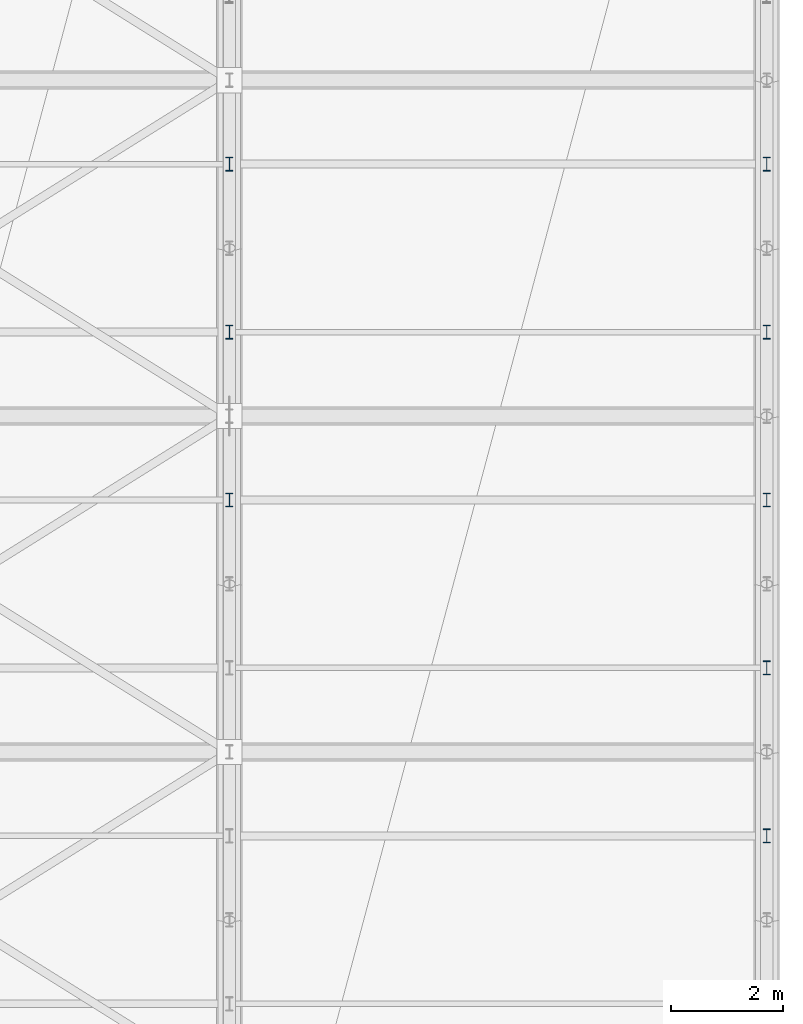
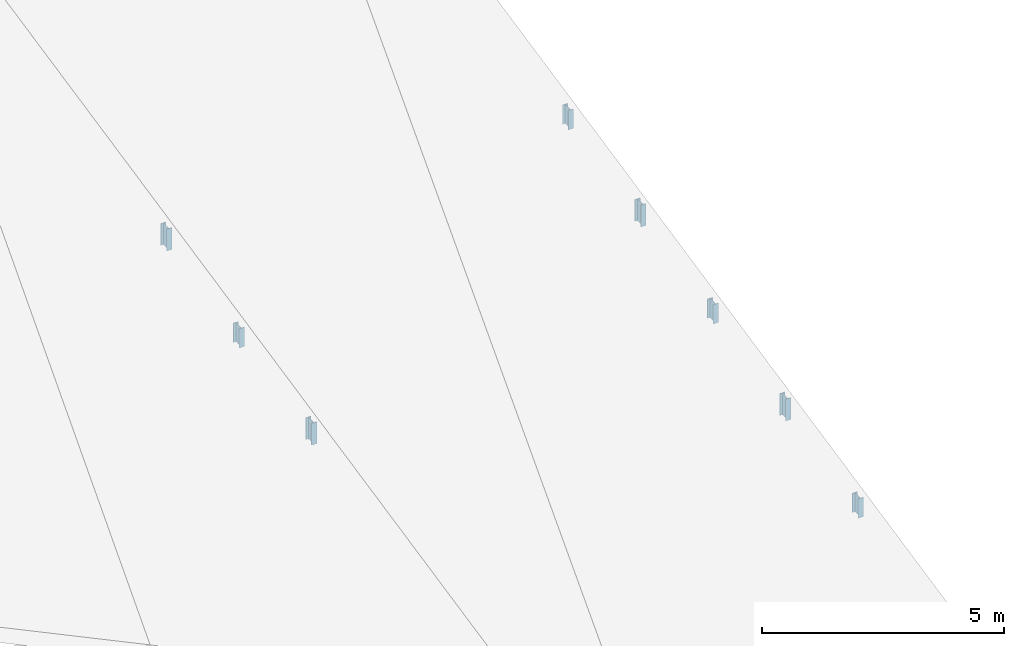
# One storey, part 84 of 109: 8 members.
"""IFC4 building model written with IfcOpenShell, lengths in metres."""

from ifc_helpers import new_model, si_unit, direction, frame, origin, origin_2d, place, context, subcontext, project, spatial, i_section, extrude, material, material_profile, profile_set, type_object, element, save


model = new_model("IFC4")

# Units and contexts
model_context = context("Model", 3, precision=1e-05, world=origin(), true_north=direction((0.0, 1.0)))
body_context = subcontext(model_context, "Body", "Model", "MODEL_VIEW")
ifc_project = project(units=[si_unit("LENGTHUNIT", "METRE"), si_unit("AREAUNIT", "SQUARE_METRE"), si_unit("VOLUMEUNIT", "CUBIC_METRE"), si_unit("PLANEANGLEUNIT", "RADIAN"), si_unit("MASSUNIT", "GRAM", prefix="KILO")], contexts=[model_context])

# Site, building, storey
site_placement = place(None, origin())
site = spatial("IfcSite", under=ifc_project, at=site_placement, CompositionType="ELEMENT")
building_placement = place(site_placement, origin())
building = spatial("IfcBuilding", under=site, at=building_placement, Name="Suirenkawa Promenade Aquatics Centre", CompositionType="ELEMENT")
storey_placement = place(building_placement, frame((0.0, 0.0, 22.800048828125)))
storey = spatial("IfcBuildingStorey", under=building, at=storey_placement, Name="ROOF", CompositionType="ELEMENT", Elevation=22.800048828125)

# Members
ifc_material = material(Name="Steel IS 2062 E350 (Grade 350)", Category="steel")
ifc_material_profile = material_profile(ifc_material, i_section(OverallWidth=0.125, OverallDepth=0.25, WebThickness=0.007080078125, FlangeThickness=0.012939453125, at=origin_2d()), Name="ISMB 250", Category="steel")
ifc_profile_set = profile_set([ifc_material_profile], Name="Steel IS 2062 E350 (Grade 350)")
member_type = type_object("IfcMemberType", Name="MT-WEB-CHS168", PredefinedType="BRACE", material=ifc_profile_set)
member_1_placement = place(storey_placement, frame((184.800048828125, 66.89990234375, -5.51708984375), z_axis=(0.0, 0.0, 1.0), x_axis=(1.0, 0.0, 0.0)))
element("IfcMember", 1, at=member_1_placement, inside=storey, type_object=member_type, Name="ROOF TRUSS Purlin cleat post TD-03 MB-2530", PredefinedType="BRACE", context=body_context, shape_type="SweptSolid", body=[
    extrude(i_section(OverallWidth=0.125, OverallDepth=0.25, WebThickness=0.007080078125, FlangeThickness=0.012939453125, at=origin_2d()), origin(), (0.0, 0.0, 1.0), 0.551025390625),
])
member_2_placement = place(storey_placement, frame((184.800048828125, 69.89990234375, -4.883056640625), z_axis=(0.0, 0.0, 1.0), x_axis=(1.0, 0.0, 0.0)))
element("IfcMember", 2, at=member_2_placement, inside=storey, type_object=member_type, Name="ROOF TRUSS Purlin cleat post TD-03 MB-2532", PredefinedType="BRACE", context=body_context, shape_type="SweptSolid", body=[
    extrude(i_section(OverallWidth=0.125, OverallDepth=0.25, WebThickness=0.007080078125, FlangeThickness=0.012939453125, at=origin_2d()), origin(), (0.0, 0.0, 1.0), 0.486083984375),
])
member_3_placement = place(storey_placement, frame((184.800048828125, 72.89990234375, -4.25), z_axis=(0.0, 0.0, 1.0), x_axis=(1.0, 0.0, 0.0)))
element("IfcMember", 3, at=member_3_placement, inside=storey, type_object=member_type, Name="ROOF TRUSS Purlin cleat post TD-03 MB-2534", PredefinedType="BRACE", context=body_context, shape_type="SweptSolid", body=[
    extrude(i_section(OverallWidth=0.125, OverallDepth=0.25, WebThickness=0.007080078125, FlangeThickness=0.012939453125, at=origin_2d()), origin(), (0.0, 0.0, 1.0), 0.551025390625),
])
member_4_placement = place(storey_placement, frame((194.39990234375, 60.89990234375, -7.0830078125), z_axis=(0.0, 0.0, 1.0), x_axis=(1.0, 0.0, 0.0)))
element("IfcMember", 4, at=member_4_placement, inside=storey, type_object=member_type, Name="ROOF TRUSS Purlin cleat post TD-03 MB-2570", PredefinedType="BRACE", context=body_context, shape_type="SweptSolid", body=[
    extrude(i_section(OverallWidth=0.125, OverallDepth=0.25, WebThickness=0.007080078125, FlangeThickness=0.012939453125, at=origin_2d()), origin(), (0.0, 0.0, 1.0), 0.48583984375),
])
member_5_placement = place(storey_placement, frame((194.39990234375, 63.89990234375, -6.449951171875), z_axis=(0.0, 0.0, 1.0), x_axis=(1.0, 0.0, 0.0)))
element("IfcMember", 5, at=member_5_placement, inside=storey, type_object=member_type, Name="ROOF TRUSS Purlin cleat post TD-03 MB-2572", PredefinedType="BRACE", context=body_context, shape_type="SweptSolid", body=[
    extrude(i_section(OverallWidth=0.125, OverallDepth=0.25, WebThickness=0.007080078125, FlangeThickness=0.012939453125, at=origin_2d()), origin(), (0.0, 0.0, 1.0), 0.55078125),
])
member_6_placement = place(storey_placement, frame((194.39990234375, 66.89990234375, -5.817138671875), z_axis=(0.0, 0.0, 1.0), x_axis=(1.0, 0.0, 0.0)))
element("IfcMember", 6, at=member_6_placement, inside=storey, type_object=member_type, Name="ROOF TRUSS Purlin cleat post TD-03 MB-2574", PredefinedType="BRACE", context=body_context, shape_type="SweptSolid", body=[
    extrude(i_section(OverallWidth=0.125, OverallDepth=0.25, WebThickness=0.007080078125, FlangeThickness=0.012939453125, at=origin_2d()), origin(), (0.0, 0.0, 1.0), 0.487060546875),
])
member_7_placement = place(storey_placement, frame((194.39990234375, 69.89990234375, -5.18310546875), z_axis=(0.0, 0.0, 1.0), x_axis=(1.0, 0.0, 0.0)))
element("IfcMember", 7, at=member_7_placement, inside=storey, type_object=member_type, Name="ROOF TRUSS Purlin cleat post TD-03 MB-2576", PredefinedType="BRACE", context=body_context, shape_type="SweptSolid", body=[
    extrude(i_section(OverallWidth=0.125, OverallDepth=0.25, WebThickness=0.007080078125, FlangeThickness=0.012939453125, at=origin_2d()), origin(), (0.0, 0.0, 1.0), 0.550048828125),
])
member_8_placement = place(storey_placement, frame((194.39990234375, 72.89990234375, -4.550048828125), z_axis=(0.0, 0.0, 1.0), x_axis=(1.0, 0.0, 0.0)))
element("IfcMember", 8, at=member_8_placement, inside=storey, type_object=member_type, Name="ROOF TRUSS Purlin cleat post TD-03 MB-2578", PredefinedType="BRACE", context=body_context, shape_type="SweptSolid", body=[
    extrude(i_section(OverallWidth=0.125, OverallDepth=0.25, WebThickness=0.007080078125, FlangeThickness=0.012939453125, at=origin_2d()), origin(), (0.0, 0.0, 1.0), 0.486083984375),
])

save(model, "model.ifc")
